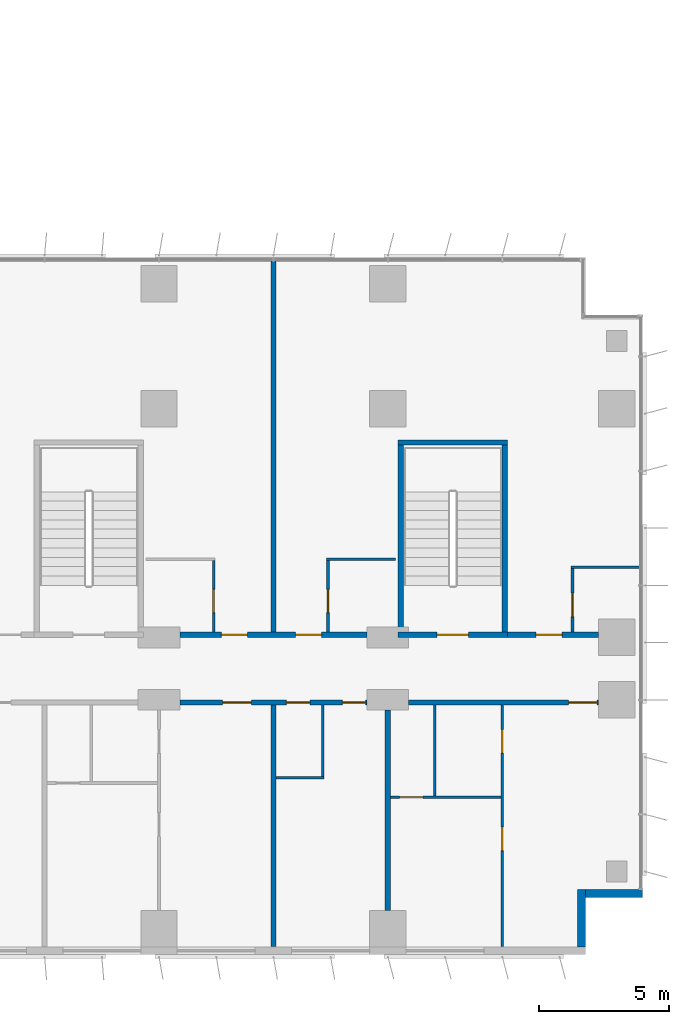
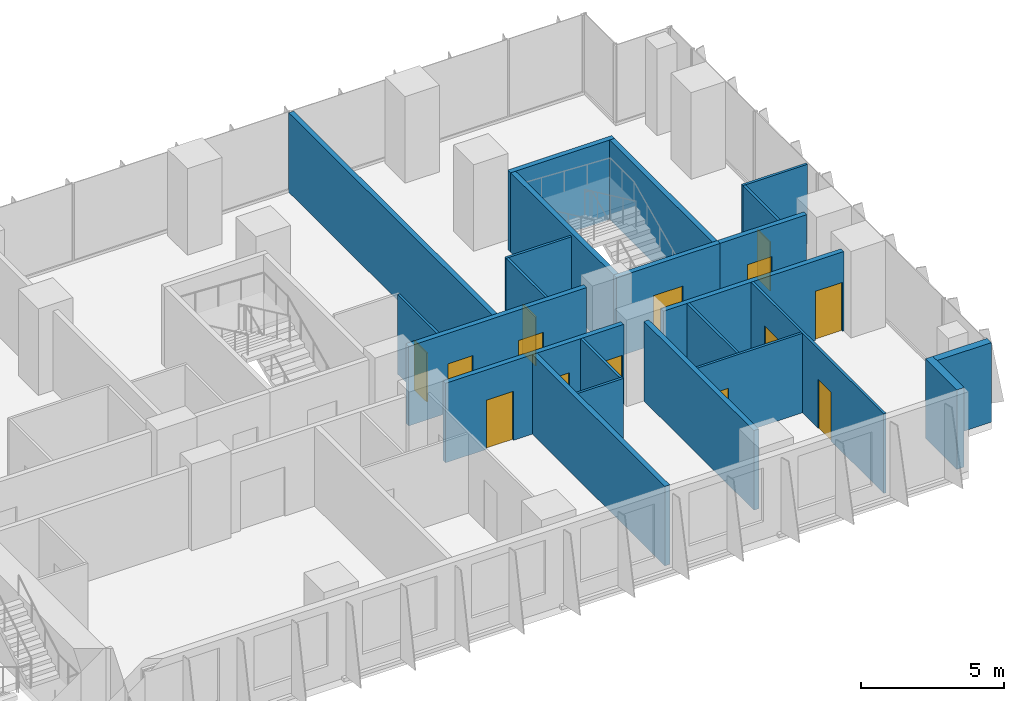
# One storey, part 18 of 24: 23 walls, 14 doors, 14 openings.
"""IFC4 building model written with IfcOpenShell, lengths in metres."""

from ifc_helpers import new_model, si_unit, direction, frame, frame_2d, origin, place, context, subcontext, project, spatial, rectangle, extrude, material, layer, layer_set, type_object, element, fill, save


model = new_model("IFC4")

# Units and contexts
model_context = context("Model", 3, precision=1e-05, world=origin(), true_north=direction((0.0, 1.0)))
body_context = subcontext(model_context, "Body", "Model", "MODEL_VIEW")
ifc_project = project(units=[si_unit("LENGTHUNIT", "METRE"), si_unit("AREAUNIT", "SQUARE_METRE"), si_unit("VOLUMEUNIT", "CUBIC_METRE"), si_unit("PLANEANGLEUNIT", "RADIAN"), si_unit("MASSUNIT", "GRAM", prefix="KILO")], contexts=[model_context])

# Site, building, storey
site_placement = place(None, origin())
site = spatial("IfcSite", under=ifc_project, at=site_placement, CompositionType="ELEMENT")
building_placement = place(site_placement, origin())
building = spatial("IfcBuilding", under=site, at=building_placement, Name="Kemantara Hotel Tower", CompositionType="ELEMENT")
storey_placement = place(building_placement, frame((0.0, 0.0, 76.0)))
storey = spatial("IfcBuildingStorey", under=building, at=storey_placement, Name="L17", CompositionType="ELEMENT", Elevation=76.0)

# Walls
ifc_material_1 = material(Name="Bronze anodised aluminium cladding on insulated steel stud wall", Category="steel")
ifc_layer_1 = layer(ifc_material_1, 0.300048828125)
ifc_layer_set_1 = layer_set([ifc_layer_1], Name="Bronze anodised aluminium cladding on insulated steel stud wall")
wall_type_1 = type_object("IfcWallType", Name="BRONZE METAL-CLAD EXTERNAL WALL 300", PredefinedType="STANDARD", material=ifc_layer_set_1)
for number, where, z_axis, x_axis, name in (
    (1, (78.85009765625, 0.300048828125, 0.0), (0.0, 0.0, 1.0), (0.0, 1.0, 0.0), "EXTERNAL WALL L17 T1-R02"),
    (2, (79.0, 2.35009765625, 0.0), (0.0, 0.0, 1.0), (1.0, 0.0, 0.0), "EXTERNAL WALL L17 T1-R03"),
):
    element("IfcWall", number, at=place(storey_placement, frame(where, z_axis=z_axis, x_axis=x_axis)), inside=storey, type_object=wall_type_1, Name=name, PredefinedType="STANDARD", context=body_context, shape_type="SweptSolid", body=[
        extrude(rectangle(XDim=2.199951171875, YDim=0.300048828125, at=frame_2d((1.10009765625, 0.0))), origin(), (0.0, 0.0, 1.0), 3.39990234375),
    ])

# Wall, openings, doors
ifc_material_2 = material(Name="Gypsum board partition, steel studs and mineral wool, 200 mm", Category="steel")
ifc_layer_2 = layer(ifc_material_2, 0.199951171875)
ifc_layer_set_2 = layer_set([ifc_layer_2], Name="Gypsum board partition, steel studs and mineral wool, 200 mm")
wall_type_2 = type_object("IfcWallType", Name="CORRIDOR WALL 200", PredefinedType="PARTITIONING", material=ifc_layer_set_2)
wall_1_placement = place(storey_placement, frame((70.599853515625, 9.699951171875, 0.0), z_axis=(0.0, 0.0, 1.0), x_axis=(-1.0, 0.0, 0.0)))
wall_1 = element("IfcWall", 3, at=wall_1_placement, inside=storey, type_object=wall_type_2, Name="CORRIDOR WALL 200 003", PredefinedType="PARTITIONING", context=body_context, shape_type="SweptSolid", body=[
    extrude(rectangle(XDim=7.19970703125, YDim=0.199951171875, at=frame_2d((3.599853515625, 0.0))), origin(), (0.0, 0.0, 1.0), 3.39990234375),
])
opening_1_placement = place(wall_1_placement, frame((4.449951171875, 0.0, 0.0)))
opening_1 = element("IfcOpeningElement", 4, at=opening_1_placement, cuts=wall_1, Name="Opening F06-003", PredefinedType="OPENING", context=body_context, shape_type="SweptSolid", body=[
    extrude(rectangle(XDim=1.10009765625, YDim=2.10009765625, at=frame_2d((0.550048828125, 1.050048828125))), frame((0.0, 0.10986328125, 0.0), z_axis=(0.0, -1.0, 0.0), x_axis=(1.0, 0.0, 0.0)), (0.0, 0.0, 1.0), 0.219970703125),
])
opening_2_placement = place(wall_1_placement, frame((0.0498046875, 0.0, 0.0)))
opening_2 = element("IfcOpeningElement", 5, at=opening_2_placement, cuts=wall_1, Name="Opening F06-007", PredefinedType="OPENING", context=body_context, shape_type="SweptSolid", body=[
    extrude(rectangle(XDim=0.89990234375, YDim=2.10009765625, at=frame_2d((0.449951171875, 1.050048828125))), frame((0.0, 0.10986328125, 0.0), z_axis=(0.0, -1.0, 0.0), x_axis=(1.0, 0.0, 0.0)), (0.0, 0.0, 1.0), 0.219970703125),
])
opening_3_placement = place(wall_1_placement, frame((2.199951171875, 0.0, 0.0)))
opening_3 = element("IfcOpeningElement", 6, at=opening_3_placement, cuts=wall_1, Name="Opening F06-008", PredefinedType="OPENING", context=body_context, shape_type="SweptSolid", body=[
    extrude(rectangle(XDim=0.89990234375, YDim=2.10009765625, at=frame_2d((0.449951171875, 1.050048828125))), frame((0.0, 0.10986328125, 0.0), z_axis=(0.0, -1.0, 0.0), x_axis=(1.0, 0.0, 0.0)), (0.0, 0.0, 1.0), 0.219970703125),
])
ifc_material_3 = material(Name="Steel door leaf with steel frame", Category="steel")
door_type_1 = type_object("IfcDoorType", Name="SERVICE ROOM DOOR 900 X 2100 FD60", OperationType="NOTDEFINED", PredefinedType="DOOR", material=ifc_material_3)
door_1_placement = place(opening_2_placement, origin())
door_1 = element("IfcDoor", 7, at=door_1_placement, inside=storey, type_object=door_type_1, Name="SERVICE ROOM DOOR F06-007", OperationType="SINGLE_SWING_LEFT", OverallHeight=2.10009765625, OverallWidth=0.89990234375, PredefinedType="DOOR", context=body_context, shape_type="SweptSolid", body=[
    extrude(rectangle(XDim=0.89990234375, YDim=2.10009765625, at=frame_2d((0.449951171875, 1.050048828125))), frame((0.0, 0.02490234375, 0.0), z_axis=(0.0, -1.0, 0.0), x_axis=(1.0, 0.0, 0.0)), (0.0, 0.0, 1.0), 0.050048828125),
])
fill(opening_2, door_1)
door_2_placement = place(opening_3_placement, origin())
door_2 = element("IfcDoor", 8, at=door_2_placement, inside=storey, type_object=door_type_1, Name="SERVICE ROOM DOOR F06-008", OperationType="SINGLE_SWING_RIGHT", OverallHeight=2.10009765625, OverallWidth=0.89990234375, PredefinedType="DOOR", context=body_context, shape_type="SweptSolid", body=[
    extrude(rectangle(XDim=0.89990234375, YDim=2.10009765625, at=frame_2d((0.449951171875, 1.050048828125))), frame((0.0, 0.02490234375, 0.0), z_axis=(0.0, -1.0, 0.0), x_axis=(1.0, 0.0, 0.0)), (0.0, 0.0, 1.0), 0.050048828125),
])
fill(opening_3, door_2)
ifc_material_4 = material(Name="Hardwood veneer door leaf with steel frame", Category="steel")
door_type_2 = type_object("IfcDoorType", Name="SUITE ENTRANCE DOOR 1100 X 2100 FD30S", OperationType="NOTDEFINED", PredefinedType="DOOR", material=ifc_material_4)
door_3_placement = place(opening_1_placement, origin())
door_3 = element("IfcDoor", 9, at=door_3_placement, inside=storey, type_object=door_type_2, Name="SUITE ENTRANCE DOOR F06-003", OperationType="SINGLE_SWING_LEFT", OverallHeight=2.10009765625, OverallWidth=1.10009765625, PredefinedType="DOOR", context=body_context, shape_type="SweptSolid", body=[
    extrude(rectangle(XDim=1.10009765625, YDim=2.10009765625, at=frame_2d((0.550048828125, 1.050048828125))), frame((0.0, 0.02490234375, 0.0), z_axis=(0.0, -1.0, 0.0), x_axis=(1.0, 0.0, 0.0)), (0.0, 0.0, 1.0), 0.050048828125),
])
fill(opening_1, door_3)

# Wall, opening, door
wall_2_placement = place(storey_placement, frame((79.5, 9.699951171875, 0.0), z_axis=(0.0, 0.0, 1.0), x_axis=(-1.0, 0.0, 0.0)))
wall_2 = element("IfcWall", 10, at=wall_2_placement, inside=storey, type_object=wall_type_2, Name="CORRIDOR WALL 200 004", PredefinedType="PARTITIONING", context=body_context, shape_type="SweptSolid", body=[
    extrude(rectangle(XDim=7.2998046875, YDim=0.199951171875, at=frame_2d((3.64990234375, 0.0))), origin(), (0.0, 0.0, 1.0), 3.39990234375),
])
opening_4_placement = place(wall_2_placement, frame((0.0498046875, 0.0, 0.0)))
opening_4 = element("IfcOpeningElement", 11, at=opening_4_placement, cuts=wall_2, Name="Opening F06-009", PredefinedType="OPENING", context=body_context, shape_type="SweptSolid", body=[
    extrude(rectangle(XDim=1.10009765625, YDim=2.10009765625, at=frame_2d((0.550048828125, 1.050048828125))), frame((0.0, 0.10986328125, 0.0), z_axis=(0.0, -1.0, 0.0), x_axis=(1.0, 0.0, 0.0)), (0.0, 0.0, 1.0), 0.219970703125),
])
door_4_placement = place(opening_4_placement, origin())
door_4 = element("IfcDoor", 12, at=door_4_placement, inside=storey, type_object=door_type_2, Name="SUITE ENTRANCE DOOR F06-009", OperationType="SINGLE_SWING_LEFT", OverallHeight=2.10009765625, OverallWidth=1.10009765625, PredefinedType="DOOR", context=body_context, shape_type="SweptSolid", body=[
    extrude(rectangle(XDim=1.10009765625, YDim=2.10009765625, at=frame_2d((0.550048828125, 1.050048828125))), frame((0.0, 0.02490234375, 0.0), z_axis=(0.0, -1.0, 0.0), x_axis=(1.0, 0.0, 0.0)), (0.0, 0.0, 1.0), 0.050048828125),
])
fill(opening_4, door_4)

# Wall, openings, doors
wall_3_placement = place(storey_placement, frame((63.400146484375, 12.300048828125, 0.0), z_axis=(0.0, 0.0, 1.0), x_axis=(1.0, 0.0, 0.0)))
wall_3 = element("IfcWall", 13, at=wall_3_placement, inside=storey, type_object=wall_type_2, Name="CORRIDOR WALL 200 014", PredefinedType="PARTITIONING", context=body_context, shape_type="SweptSolid", body=[
    extrude(rectangle(XDim=7.19970703125, YDim=0.199951171875, at=frame_2d((3.599853515625, 0.0))), origin(), (0.0, 0.0, 1.0), 3.39990234375),
])
opening_5_placement = place(wall_3_placement, frame((1.599853515625, 0.0, 0.0)))
opening_5 = element("IfcOpeningElement", 14, at=opening_5_placement, cuts=wall_3, Name="Opening F06-023", PredefinedType="OPENING", context=body_context, shape_type="SweptSolid", body=[
    extrude(rectangle(XDim=1.0, YDim=2.10009765625, at=frame_2d((0.5, 1.050048828125))), frame((0.0, 0.10986328125, 0.0), z_axis=(0.0, -1.0, 0.0), x_axis=(1.0, 0.0, 0.0)), (0.0, 0.0, 1.0), 0.219970703125),
])
opening_6_placement = place(wall_3_placement, frame((4.449951171875, 0.0, 0.0)))
opening_6 = element("IfcOpeningElement", 15, at=opening_6_placement, cuts=wall_3, Name="Opening F06-025", PredefinedType="OPENING", context=body_context, shape_type="SweptSolid", body=[
    extrude(rectangle(XDim=1.0, YDim=2.10009765625, at=frame_2d((0.5, 1.050048828125))), frame((0.0, 0.10986328125, 0.0), z_axis=(0.0, -1.0, 0.0), x_axis=(1.0, 0.0, 0.0)), (0.0, 0.0, 1.0), 0.219970703125),
])
door_type_3 = type_object("IfcDoorType", Name="GUEST ROOM DOOR 1000 X 2100 FD30S", OperationType="NOTDEFINED", PredefinedType="DOOR", material=ifc_material_4)
door_5_placement = place(opening_5_placement, origin())
door_5 = element("IfcDoor", 16, at=door_5_placement, inside=storey, type_object=door_type_3, Name="GUEST ROOM DOOR F06-023", OperationType="SINGLE_SWING_RIGHT", OverallHeight=2.10009765625, OverallWidth=1.0, PredefinedType="DOOR", context=body_context, shape_type="SweptSolid", body=[
    extrude(rectangle(XDim=1.0, YDim=2.10009765625, at=frame_2d((0.5, 1.050048828125))), frame((0.0, 0.02490234375, 0.0), z_axis=(0.0, -1.0, 0.0), x_axis=(1.0, 0.0, 0.0)), (0.0, 0.0, 1.0), 0.050048828125),
])
fill(opening_5, door_5)
door_6_placement = place(opening_6_placement, origin())
door_6 = element("IfcDoor", 17, at=door_6_placement, inside=storey, type_object=door_type_3, Name="GUEST ROOM DOOR F06-025", OperationType="SINGLE_SWING_LEFT", OverallHeight=2.10009765625, OverallWidth=1.0, PredefinedType="DOOR", context=body_context, shape_type="SweptSolid", body=[
    extrude(rectangle(XDim=1.0, YDim=2.10009765625, at=frame_2d((0.5, 1.050048828125))), frame((0.0, 0.02490234375, 0.0), z_axis=(0.0, -1.0, 0.0), x_axis=(1.0, 0.0, 0.0)), (0.0, 0.0, 1.0), 0.050048828125),
])
fill(opening_6, door_6)

# Wall, opening, door
wall_4_placement = place(storey_placement, frame((76.0, 12.300048828125, 0.0), z_axis=(0.0, 0.0, 1.0), x_axis=(1.0, 0.0, 0.0)))
wall_4 = element("IfcWall", 18, at=wall_4_placement, inside=storey, type_object=wall_type_2, Name="CORRIDOR WALL 200 015", PredefinedType="PARTITIONING", context=body_context, shape_type="SweptSolid", body=[
    extrude(rectangle(XDim=3.5, YDim=0.199951171875, at=frame_2d((1.75, 0.0))), origin(), (0.0, 0.0, 1.0), 3.39990234375),
])
opening_7_placement = place(wall_4_placement, frame((1.10009765625, 0.0, 0.0)))
opening_7 = element("IfcOpeningElement", 19, at=opening_7_placement, cuts=wall_4, Name="Opening F06-027", PredefinedType="OPENING", context=body_context, shape_type="SweptSolid", body=[
    extrude(rectangle(XDim=1.0, YDim=2.10009765625, at=frame_2d((0.5, 1.050048828125))), frame((0.0, 0.10986328125, 0.0), z_axis=(0.0, -1.0, 0.0), x_axis=(1.0, 0.0, 0.0)), (0.0, 0.0, 1.0), 0.219970703125),
])
door_7_placement = place(opening_7_placement, origin())
door_7 = element("IfcDoor", 20, at=door_7_placement, inside=storey, type_object=door_type_3, Name="GUEST ROOM DOOR F06-027", OperationType="SINGLE_SWING_LEFT", OverallHeight=2.10009765625, OverallWidth=1.0, PredefinedType="DOOR", context=body_context, shape_type="SweptSolid", body=[
    extrude(rectangle(XDim=1.0, YDim=2.10009765625, at=frame_2d((0.5, 1.050048828125))), frame((0.0, 0.02490234375, 0.0), z_axis=(0.0, -1.0, 0.0), x_axis=(1.0, 0.0, 0.0)), (0.0, 0.0, 1.0), 0.050048828125),
])
fill(opening_7, door_7)

ifc_material_5 = material(Name="Concrete fc 40 MPa", Category="concrete")
ifc_layer_3 = layer(ifc_material_5, 0.199951171875)
ifc_layer_set_3 = layer_set([ifc_layer_3], Name="Concrete fc 40 MPa")
wall_type_3 = type_object("IfcWallType", Name="Concrete stair wall 200 mm", PredefinedType="SHEAR", material=ifc_layer_set_3)
wall_5_placement = place(storey_placement, frame((71.800048828125, 12.300048828125, 0.0), z_axis=(0.0, 0.0, 1.0), x_axis=(1.0, 0.0, 0.0)))
wall_5 = element("IfcWall", 21, at=wall_5_placement, inside=storey, type_object=wall_type_3, Name="Stair ST5 enclosure wall with door", PredefinedType="SHEAR", context=body_context, shape_type="SweptSolid", body=[
    extrude(rectangle(XDim=4.199951171875, YDim=0.199951171875, at=frame_2d((2.10009765625, 0.0))), origin(), (0.0, 0.0, 1.0), 3.39990234375),
])
opening_8_placement = place(wall_5_placement, frame((1.5, 0.0, 0.0)))
opening_8 = element("IfcOpeningElement", 22, at=opening_8_placement, cuts=wall_5, Name="Opening ST5-C", PredefinedType="OPENING", context=body_context, shape_type="SweptSolid", body=[
    extrude(rectangle(XDim=1.199951171875, YDim=2.10009765625, at=frame_2d((0.60009765625, 1.050048828125))), frame((0.0, 0.10986328125, 0.0), z_axis=(0.0, -1.0, 0.0), x_axis=(1.0, 0.0, 0.0)), (0.0, 0.0, 1.0), 0.219970703125),
])
ifc_material_6 = material(Name="Steel fire door", Category="steel")
door_type_4 = type_object("IfcDoorType", Name="Fire door FD90 1200 x 2100", OperationType="NOTDEFINED", PredefinedType="DOOR", material=ifc_material_6)
door_8_placement = place(opening_8_placement, origin())
door_8 = element("IfcDoor", 23, at=door_8_placement, inside=storey, type_object=door_type_4, Name="Stair ST5 door", OperationType="SINGLE_SWING_RIGHT", OverallHeight=2.10009765625, OverallWidth=1.199951171875, PredefinedType="DOOR", context=body_context, shape_type="SweptSolid", body=[
    extrude(rectangle(XDim=1.199951171875, YDim=2.10009765625, at=frame_2d((0.60009765625, 1.050048828125))), frame((0.0, 0.02490234375, 0.0), z_axis=(0.0, -1.0, 0.0), x_axis=(1.0, 0.0, 0.0)), (0.0, 0.0, 1.0), 0.050048828125),
])
fill(opening_8, door_8)

# Walls
wall_6_placement = place(storey_placement, frame((71.800048828125, 19.699951171875, 0.0), z_axis=(0.0, 0.0, 1.0), x_axis=(1.0, 0.0, 0.0)))
element("IfcWall", 24, at=wall_6_placement, inside=storey, type_object=wall_type_3, Name="Stair ST5 enclosure wall N", PredefinedType="SHEAR", context=body_context, shape_type="SweptSolid", body=[
    extrude(rectangle(XDim=4.199951171875, YDim=0.199951171875, at=frame_2d((2.10009765625, 0.0))), origin(), (0.0, 0.0, 1.0), 3.39990234375),
])
for number, where, z_axis, x_axis, name in (
    (25, (71.89990234375, 12.39990234375, 0.0), (0.0, 0.0, 1.0), (0.0, 1.0, 0.0), "Stair ST5 enclosure wall W"),
    (26, (75.89990234375, 12.39990234375, 0.0), (0.0, 0.0, 1.0), (0.0, 1.0, 0.0), "Stair ST5 enclosure wall E"),
):
    element("IfcWall", number, at=place(storey_placement, frame(where, z_axis=z_axis, x_axis=x_axis)), inside=storey, type_object=wall_type_3, Name=name, PredefinedType="SHEAR", context=body_context, shape_type="SweptSolid", body=[
        extrude(rectangle(XDim=7.2001953125, YDim=0.199951171875, at=frame_2d((3.60009765625, 0.0))), origin(), (0.0, 0.0, 1.0), 3.39990234375),
    ])
ifc_layer_4 = layer(ifc_material_2, 0.199951171875)
ifc_layer_set_4 = layer_set([ifc_layer_4], Name="Gypsum board partition, steel studs and mineral wool, 200 mm")
wall_type_4 = type_object("IfcWallType", Name="GUEST ROOM PARTY WALL 200", PredefinedType="PARTITIONING", material=ifc_layer_set_4)
wall_7_placement = place(storey_placement, frame((67.0, 0.31005859375, 0.0), z_axis=(0.0, 0.0, 1.0), x_axis=(0.0, 1.0, 0.0)))
element("IfcWall", 27, at=wall_7_placement, inside=storey, type_object=wall_type_4, Name="GUEST ROOM PARTY WALL 200 006", PredefinedType="PARTITIONING", context=body_context, shape_type="SweptSolid", body=[
    extrude(rectangle(XDim=9.2900390625, YDim=0.199951171875, at=frame_2d((4.64501953125, 0.0))), origin(), (0.0, 0.0, 1.0), 3.39990234375),
])
wall_8_placement = place(storey_placement, frame((67.0, 12.39990234375, 0.0), z_axis=(0.0, 0.0, 1.0), x_axis=(0.0, 1.0, 0.0)))
element("IfcWall", 28, at=wall_8_placement, inside=storey, type_object=wall_type_4, Name="GUEST ROOM PARTY WALL 200 007", PredefinedType="PARTITIONING", context=body_context, shape_type="SweptSolid", body=[
    extrude(rectangle(XDim=14.27001953125, YDim=0.199951171875, at=frame_2d((7.135009765625, 0.0))), origin(), (0.0, 0.0, 1.0), 3.39990234375),
])
wall_9_placement = place(storey_placement, frame((71.39990234375, 1.7001953125, 0.0), z_axis=(0.0, 0.0, 1.0), x_axis=(0.0, 1.0, 0.0)))
element("IfcWall", 29, at=wall_9_placement, inside=storey, type_object=wall_type_4, Name="GUEST ROOM PARTY WALL 200 008", PredefinedType="PARTITIONING", context=body_context, shape_type="SweptSolid", body=[
    extrude(rectangle(XDim=7.69970703125, YDim=0.199951171875, at=frame_2d((3.849853515625, 0.0))), origin(), (0.0, 0.0, 1.0), 3.39990234375),
])
ifc_material_7 = material(Name="Gypsum board partition on steel studs, 100 mm", Category="steel")
ifc_layer_5 = layer(ifc_material_7, 0.10009765625)
ifc_layer_set_5 = layer_set([ifc_layer_5], Name="Gypsum board partition on steel studs, 100 mm")
wall_type_5 = type_object("IfcWallType", Name="ROOM PARTITION 100", PredefinedType="PARTITIONING", material=ifc_layer_set_5)
wall_10_placement = place(storey_placement, frame((67.10009765625, 6.800048828125, 0.0), z_axis=(0.0, 0.0, 1.0), x_axis=(1.0, 0.0, 0.0)))
element("IfcWall", 30, at=wall_10_placement, inside=storey, type_object=wall_type_5, Name="ROOM PARTITION 100 063", PredefinedType="PARTITIONING", context=body_context, shape_type="SweptSolid", body=[
    extrude(rectangle(XDim=1.849853515625, YDim=0.10009765625, at=frame_2d((0.9248046875, 0.0))), origin(), (0.0, 0.0, 1.0), 3.39990234375),
])
wall_11_placement = place(storey_placement, frame((68.89990234375, 6.85009765625, 0.0), z_axis=(0.0, 0.0, 1.0), x_axis=(0.0, 1.0, 0.0)))
element("IfcWall", 31, at=wall_11_placement, inside=storey, type_object=wall_type_5, Name="ROOM PARTITION 100 064", PredefinedType="PARTITIONING", context=body_context, shape_type="SweptSolid", body=[
    extrude(rectangle(XDim=2.75, YDim=0.10009765625, at=frame_2d((1.375, 0.0))), origin(), (0.0, 0.0, 1.0), 3.39990234375),
])

# Wall, opening, door
wall_12_placement = place(storey_placement, frame((71.5, 6.050048828125, 0.0), z_axis=(0.0, 0.0, 1.0), x_axis=(1.0, 0.0, 0.0)))
wall_12 = element("IfcWall", 32, at=wall_12_placement, inside=storey, type_object=wall_type_5, Name="ROOM PARTITION 100 065", PredefinedType="PARTITIONING", context=body_context, shape_type="SweptSolid", body=[
    extrude(rectangle(XDim=4.25, YDim=0.10009765625, at=frame_2d((2.125, 0.0))), origin(), (0.0, 0.0, 1.0), 3.39990234375),
])
opening_9_placement = place(wall_12_placement, frame((0.35009765625, 0.0, 0.0)))
opening_9 = element("IfcOpeningElement", 33, at=opening_9_placement, cuts=wall_12, Name="Opening F06-012", PredefinedType="OPENING", context=body_context, shape_type="SweptSolid", body=[
    extrude(rectangle(XDim=0.89990234375, YDim=2.10009765625, at=frame_2d((0.449951171875, 1.050048828125))), frame((0.0, 0.06005859375, 0.0), z_axis=(0.0, -1.0, 0.0), x_axis=(1.0, 0.0, 0.0)), (0.0, 0.0, 1.0), 0.1201171875),
])
door_type_5 = type_object("IfcDoorType", Name="BATHROOM DOOR 900 X 2100", OperationType="NOTDEFINED", PredefinedType="DOOR", material=ifc_material_4)
door_9_placement = place(opening_9_placement, origin())
door_9 = element("IfcDoor", 34, at=door_9_placement, inside=storey, type_object=door_type_5, Name="BATHROOM DOOR F06-012", OperationType="SINGLE_SWING_RIGHT", OverallHeight=2.10009765625, OverallWidth=0.89990234375, PredefinedType="DOOR", context=body_context, shape_type="SweptSolid", body=[
    extrude(rectangle(XDim=0.89990234375, YDim=2.10009765625, at=frame_2d((0.449951171875, 1.050048828125))), frame((0.0, 0.02490234375, 0.0), z_axis=(0.0, -1.0, 0.0), x_axis=(1.0, 0.0, 0.0)), (0.0, 0.0, 1.0), 0.050048828125),
])
fill(opening_9, door_9)

# Wall, openings, doors
wall_13_placement = place(storey_placement, frame((75.800048828125, 0.31005859375, 0.0), z_axis=(0.0, 0.0, 1.0), x_axis=(0.0, 1.0, 0.0)))
wall_13 = element("IfcWall", 35, at=wall_13_placement, inside=storey, type_object=wall_type_5, Name="ROOM PARTITION 100 066", PredefinedType="PARTITIONING", context=body_context, shape_type="SweptSolid", body=[
    extrude(rectangle(XDim=9.2900390625, YDim=0.10009765625, at=frame_2d((4.64501953125, 0.0))), origin(), (0.0, 0.0, 1.0), 3.39990234375),
])
opening_10_placement = place(wall_13_placement, frame((7.43994140625, 0.0, 0.0)))
opening_10 = element("IfcOpeningElement", 36, at=opening_10_placement, cuts=wall_13, Name="Opening F06-010", PredefinedType="OPENING", context=body_context, shape_type="SweptSolid", body=[
    extrude(rectangle(XDim=0.89990234375, YDim=2.10009765625, at=frame_2d((0.449951171875, 1.050048828125))), frame((0.0, 0.06005859375, 0.0), z_axis=(0.0, -1.0, 0.0), x_axis=(1.0, 0.0, 0.0)), (0.0, 0.0, 1.0), 0.1201171875),
])
opening_11_placement = place(wall_13_placement, frame((3.68994140625, 0.0, 0.0)))
opening_11 = element("IfcOpeningElement", 37, at=opening_11_placement, cuts=wall_13, Name="Opening F06-011", PredefinedType="OPENING", context=body_context, shape_type="SweptSolid", body=[
    extrude(rectangle(XDim=0.89990234375, YDim=2.10009765625, at=frame_2d((0.449951171875, 1.050048828125))), frame((0.0, 0.06005859375, 0.0), z_axis=(0.0, -1.0, 0.0), x_axis=(1.0, 0.0, 0.0)), (0.0, 0.0, 1.0), 0.1201171875),
])
door_type_6 = type_object("IfcDoorType", Name="INTERNAL DOOR 900 X 2100", OperationType="NOTDEFINED", PredefinedType="DOOR", material=ifc_material_4)
door_10_placement = place(opening_11_placement, origin())
door_10 = element("IfcDoor", 38, at=door_10_placement, inside=storey, type_object=door_type_6, Name="INTERNAL DOOR F06-011", OperationType="SINGLE_SWING_RIGHT", OverallHeight=2.10009765625, OverallWidth=0.89990234375, PredefinedType="DOOR", context=body_context, shape_type="SweptSolid", body=[
    extrude(rectangle(XDim=0.89990234375, YDim=2.10009765625, at=frame_2d((0.449951171875, 1.050048828125))), frame((0.0, 0.02490234375, 0.0), z_axis=(0.0, -1.0, 0.0), x_axis=(1.0, 0.0, 0.0)), (0.0, 0.0, 1.0), 0.050048828125),
])
fill(opening_11, door_10)
door_type_7 = type_object("IfcDoorType", Name="PANTRY DOOR 900 X 2100", OperationType="NOTDEFINED", PredefinedType="DOOR", material=ifc_material_4)
door_11_placement = place(opening_10_placement, frame((0.89990234375, 0.0, 0.0), z_axis=(0.0, 0.0, 1.0), x_axis=(-1.0, 0.0, 0.0)))
door_11 = element("IfcDoor", 39, at=door_11_placement, inside=storey, type_object=door_type_7, Name="PANTRY DOOR F06-010", OperationType="SINGLE_SWING_RIGHT", OverallHeight=2.10009765625, OverallWidth=0.89990234375, PredefinedType="DOOR", context=body_context, shape_type="SweptSolid", body=[
    extrude(rectangle(XDim=0.89990234375, YDim=2.10009765625, at=frame_2d((0.449951171875, 1.050048828125))), frame((0.0, 0.02490234375, 0.0), z_axis=(0.0, -1.0, 0.0), x_axis=(1.0, 0.0, 0.0)), (0.0, 0.0, 1.0), 0.050048828125),
])
fill(opening_10, door_11)

# Walls
wall_14_placement = place(storey_placement, frame((73.199951171875, 6.10009765625, 0.0), z_axis=(0.0, 0.0, 1.0), x_axis=(0.0, 1.0, 0.0)))
element("IfcWall", 40, at=wall_14_placement, inside=storey, type_object=wall_type_5, Name="ROOM PARTITION 100 067", PredefinedType="PARTITIONING", context=body_context, shape_type="SweptSolid", body=[
    extrude(rectangle(XDim=3.5, YDim=0.10009765625, at=frame_2d((1.75, 0.0))), origin(), (0.0, 0.0, 1.0), 3.39990234375),
])
wall_15_placement = place(storey_placement, frame((69.050048828125, 15.199951171875, 0.0), z_axis=(0.0, 0.0, 1.0), x_axis=(1.0, 0.0, 0.0)))
element("IfcWall", 41, at=wall_15_placement, inside=storey, type_object=wall_type_5, Name="ROOM PARTITION 100 076", PredefinedType="PARTITIONING", context=body_context, shape_type="SweptSolid", body=[
    extrude(rectangle(XDim=2.64990234375, YDim=0.10009765625, at=frame_2d((1.324951171875, 0.0))), origin(), (0.0, 0.0, 1.0), 3.39990234375),
])

# Wall, opening, door
wall_16_placement = place(storey_placement, frame((64.699951171875, 12.39990234375, 0.0), z_axis=(0.0, 0.0, 1.0), x_axis=(0.0, 1.0, 0.0)))
wall_16 = element("IfcWall", 42, at=wall_16_placement, inside=storey, type_object=wall_type_5, Name="ROOM PARTITION 100 081", PredefinedType="PARTITIONING", context=body_context, shape_type="SweptSolid", body=[
    extrude(rectangle(XDim=2.75, YDim=0.10009765625, at=frame_2d((1.375, 0.0))), origin(), (0.0, 0.0, 1.0), 3.39990234375),
])
opening_12_placement = place(wall_16_placement, frame((0.75, 0.0, 0.0)))
opening_12 = element("IfcOpeningElement", 43, at=opening_12_placement, cuts=wall_16, Name="Opening F06-024", PredefinedType="OPENING", context=body_context, shape_type="SweptSolid", body=[
    extrude(rectangle(XDim=0.89990234375, YDim=2.10009765625, at=frame_2d((0.449951171875, 1.050048828125))), frame((0.0, 0.06005859375, 0.0), z_axis=(0.0, -1.0, 0.0), x_axis=(1.0, 0.0, 0.0)), (0.0, 0.0, 1.0), 0.1201171875),
])
door_12_placement = place(opening_12_placement, origin())
door_12 = element("IfcDoor", 44, at=door_12_placement, inside=storey, type_object=door_type_5, Name="BATHROOM DOOR F06-024", OperationType="SINGLE_SWING_LEFT", OverallHeight=2.10009765625, OverallWidth=0.89990234375, PredefinedType="DOOR", context=body_context, shape_type="SweptSolid", body=[
    extrude(rectangle(XDim=0.89990234375, YDim=2.10009765625, at=frame_2d((0.449951171875, 1.050048828125))), frame((0.0, 0.02490234375, 0.0), z_axis=(0.0, -1.0, 0.0), x_axis=(1.0, 0.0, 0.0)), (0.0, 0.0, 1.0), 0.050048828125),
])
fill(opening_12, door_12)

wall_17_placement = place(storey_placement, frame((69.10009765625, 15.14990234375, 0.0), z_axis=(0.0, 0.0, 1.0), x_axis=(0.0, -1.0, 0.0)))
wall_17 = element("IfcWall", 45, at=wall_17_placement, inside=storey, type_object=wall_type_5, Name="ROOM PARTITION 100 082", PredefinedType="PARTITIONING", context=body_context, shape_type="SweptSolid", body=[
    extrude(rectangle(XDim=2.75, YDim=0.10009765625, at=frame_2d((1.375, 0.0))), origin(), (0.0, 0.0, 1.0), 3.39990234375),
])
opening_13_placement = place(wall_17_placement, frame((1.10009765625, 0.0, 0.0)))
opening_13 = element("IfcOpeningElement", 46, at=opening_13_placement, cuts=wall_17, Name="Opening F06-026", PredefinedType="OPENING", context=body_context, shape_type="SweptSolid", body=[
    extrude(rectangle(XDim=0.89990234375, YDim=2.10009765625, at=frame_2d((0.449951171875, 1.050048828125))), frame((0.0, 0.06005859375, 0.0), z_axis=(0.0, -1.0, 0.0), x_axis=(1.0, 0.0, 0.0)), (0.0, 0.0, 1.0), 0.1201171875),
])
door_13_placement = place(opening_13_placement, origin())
door_13 = element("IfcDoor", 47, at=door_13_placement, inside=storey, type_object=door_type_5, Name="BATHROOM DOOR F06-026", OperationType="SINGLE_SWING_RIGHT", OverallHeight=2.10009765625, OverallWidth=0.89990234375, PredefinedType="DOOR", context=body_context, shape_type="SweptSolid", body=[
    extrude(rectangle(XDim=0.89990234375, YDim=2.10009765625, at=frame_2d((0.449951171875, 1.050048828125))), frame((0.0, 0.02490234375, 0.0), z_axis=(0.0, -1.0, 0.0), x_axis=(1.0, 0.0, 0.0)), (0.0, 0.0, 1.0), 0.050048828125),
])
fill(opening_13, door_13)

# Wall
wall_18_placement = place(storey_placement, frame((78.449951171875, 14.89990234375, 0.0), z_axis=(0.0, 0.0, 1.0), x_axis=(1.0, 0.0, 0.0)))
element("IfcWall", 48, at=wall_18_placement, inside=storey, type_object=wall_type_5, Name="ROOM PARTITION 100 083", PredefinedType="PARTITIONING", context=body_context, shape_type="SweptSolid", body=[
    extrude(rectangle(XDim=2.6201171875, YDim=0.10009765625, at=frame_2d((1.31005859375, 0.0))), origin(), (0.0, 0.0, 1.0), 3.39990234375),
])

# Wall, opening, door
wall_19_placement = place(storey_placement, frame((78.5, 14.85009765625, 0.0), z_axis=(0.0, 0.0, 1.0), x_axis=(0.0, -1.0, 0.0)))
wall_19 = element("IfcWall", 49, at=wall_19_placement, inside=storey, type_object=wall_type_5, Name="ROOM PARTITION 100 084", PredefinedType="PARTITIONING", context=body_context, shape_type="SweptSolid", body=[
    extrude(rectangle(XDim=2.4501953125, YDim=0.10009765625, at=frame_2d((1.22509765625, 0.0))), origin(), (0.0, 0.0, 1.0), 3.39990234375),
])
opening_14_placement = place(wall_19_placement, frame((0.949951171875, 0.0, 0.0)))
opening_14 = element("IfcOpeningElement", 50, at=opening_14_placement, cuts=wall_19, Name="Opening F06-028", PredefinedType="OPENING", context=body_context, shape_type="SweptSolid", body=[
    extrude(rectangle(XDim=0.89990234375, YDim=2.10009765625, at=frame_2d((0.449951171875, 1.050048828125))), frame((0.0, 0.06005859375, 0.0), z_axis=(0.0, -1.0, 0.0), x_axis=(1.0, 0.0, 0.0)), (0.0, 0.0, 1.0), 0.1201171875),
])
door_14_placement = place(opening_14_placement, origin())
door_14 = element("IfcDoor", 51, at=door_14_placement, inside=storey, type_object=door_type_5, Name="BATHROOM DOOR F06-028", OperationType="SINGLE_SWING_RIGHT", OverallHeight=2.10009765625, OverallWidth=0.89990234375, PredefinedType="DOOR", context=body_context, shape_type="SweptSolid", body=[
    extrude(rectangle(XDim=0.89990234375, YDim=2.10009765625, at=frame_2d((0.449951171875, 1.050048828125))), frame((0.0, 0.02490234375, 0.0), z_axis=(0.0, -1.0, 0.0), x_axis=(1.0, 0.0, 0.0)), (0.0, 0.0, 1.0), 0.050048828125),
])
fill(opening_14, door_14)

save(model, "model.ifc")
